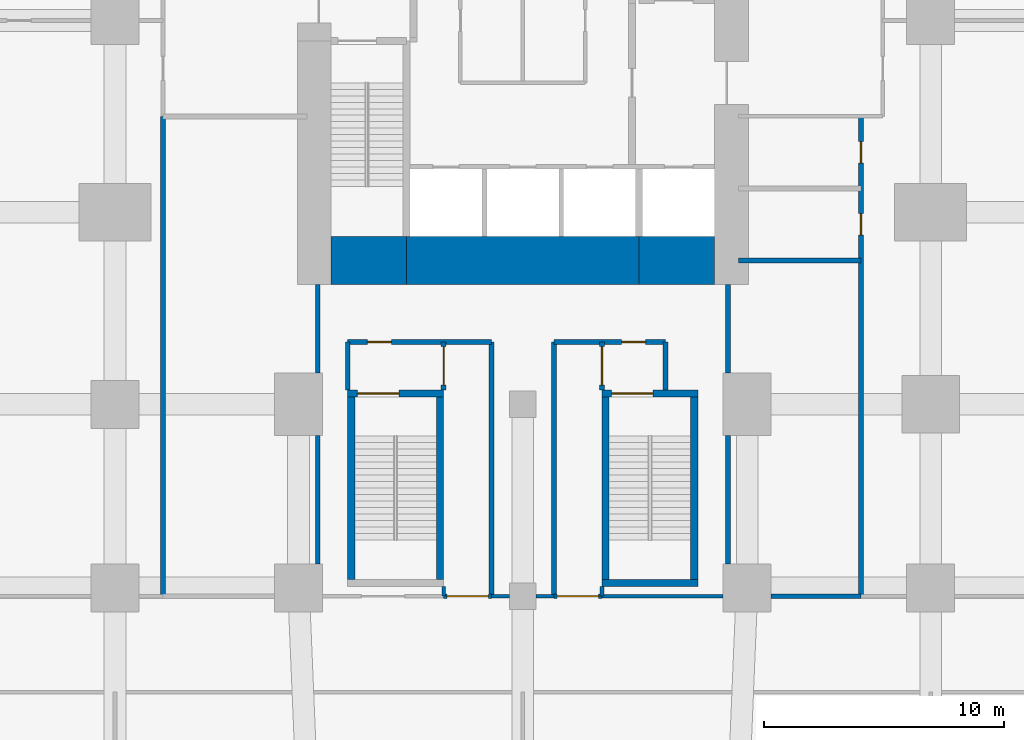
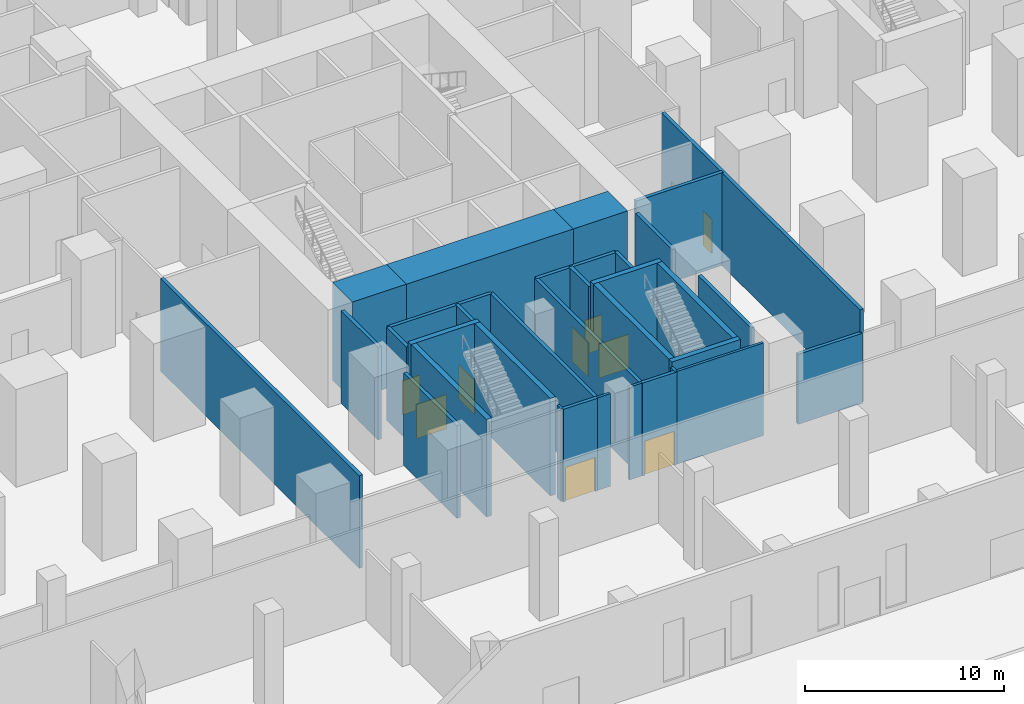
# One storey, part 5 of 16: 33 walls, 10 doors, 10 openings.
"""IFC4 building model written with IfcOpenShell, lengths in metres."""

from ifc_helpers import new_model, si_unit, direction, frame, frame_2d, origin, place, context, subcontext, project, spatial, rectangle, extrude, material, layer, layer_set, type_object, element, fill, save


model = new_model("IFC4")

# Units and contexts
model_context = context("Model", 3, precision=1e-05, world=origin(), true_north=direction((0.0, 1.0)))
body_context = subcontext(model_context, "Body", "Model", "MODEL_VIEW")
ifc_project = project(units=[si_unit("LENGTHUNIT", "METRE"), si_unit("AREAUNIT", "SQUARE_METRE"), si_unit("VOLUMEUNIT", "CUBIC_METRE"), si_unit("PLANEANGLEUNIT", "RADIAN"), si_unit("MASSUNIT", "GRAM", prefix="KILO")], contexts=[model_context])

# Site, building, storey
site_placement = place(None, origin())
site = spatial("IfcSite", under=ifc_project, at=site_placement, CompositionType="ELEMENT")
building_placement = place(site_placement, origin())
building = spatial("IfcBuilding", under=site, at=building_placement, Name="Cleftline Residences", CompositionType="ELEMENT")
storey_placement = place(building_placement, origin())
storey = spatial("IfcBuildingStorey", under=building, at=storey_placement, Name="L00", CompositionType="ELEMENT", Elevation=0.0)

# Walls
ifc_material_1 = material(Name="Concrete B70", Category="concrete")
ifc_layer_1 = layer(ifc_material_1, 2.0)
ifc_layer_set_1 = layer_set([ifc_layer_1], Name="CORE WALL 2000")
wall_type_1 = type_object("IfcWallType", Name="CORE WALL 2000", PredefinedType="SHEAR", material=ifc_layer_set_1)
wall_1_placement = place(storey_placement, frame((25.0, 14.0, 0.0), z_axis=(0.0, 0.0, 1.0), x_axis=(1.0, 0.0, 0.0)))
element("IfcWall", 1, at=wall_1_placement, inside=storey, type_object=wall_type_1, Name="Core wall S1", PredefinedType="SHEAR", context=body_context, shape_type="SweptSolid", body=[
    extrude(rectangle(XDim=3.14990234375, YDim=2.0, at=frame_2d((1.574951171875, 0.0))), origin(), (0.0, 0.0, 1.0), 6.0),
])
wall_2_placement = place(storey_placement, frame((28.14990234375, 14.0, 0.0), z_axis=(0.0, 0.0, 1.0), x_axis=(1.0, 0.0, 0.0)))
element("IfcWall", 2, at=wall_2_placement, inside=storey, type_object=wall_type_1, Name="Core wall S2", PredefinedType="SHEAR", context=body_context, shape_type="SweptSolid", body=[
    extrude(rectangle(XDim=9.7001953125, YDim=2.0, at=frame_2d((4.85009765625, 0.0))), origin(), (0.0, 0.0, 1.0), 6.0),
])
wall_3_placement = place(storey_placement, frame((37.85009765625, 14.0, 0.0), z_axis=(0.0, 0.0, 1.0), x_axis=(1.0, 0.0, 0.0)))
element("IfcWall", 3, at=wall_3_placement, inside=storey, type_object=wall_type_1, Name="Core wall S3", PredefinedType="SHEAR", context=body_context, shape_type="SweptSolid", body=[
    extrude(rectangle(XDim=3.14990234375, YDim=2.0, at=frame_2d((1.574951171875, 0.0))), origin(), (0.0, 0.0, 1.0), 6.0),
])

# Wall, opening, door
ifc_material_2 = material(Name="Concrete blockwork, fire rated", Category="masonry")
ifc_layer_2 = layer(ifc_material_2, 0.199951171875)
ifc_layer_set_2 = layer_set([ifc_layer_2], Name="FIRE WALL 200")
wall_type_2 = type_object("IfcWallType", Name="FIRE WALL 200", PredefinedType="PARTITIONING", material=ifc_layer_set_2)
wall_4_placement = place(storey_placement, frame((29.699951171875, 0.0, 0.0), z_axis=(0.0, 0.0, 1.0), x_axis=(1.0, 0.0, 0.0)))
wall_4 = element("IfcWall", 4, at=wall_4_placement, inside=storey, type_object=wall_type_2, Name="Fire separating wall", PredefinedType="PARTITIONING", context=body_context, shape_type="SweptSolid", body=[
    extrude(rectangle(XDim=2.0, YDim=0.199951171875, at=frame_2d((1.0, 0.0))), origin(), (0.0, 0.0, 1.0), 5.699951171875),
])
opening_1_placement = place(wall_4_placement, frame((1.864990234375, 0.0, 0.0), z_axis=(0.0, 0.0, 1.0), x_axis=(-1.0, 0.0, 0.0)))
opening_1 = element("IfcOpeningElement", 5, at=opening_1_placement, cuts=wall_4, Name="Opening D11", PredefinedType="OPENING", context=body_context, shape_type="SweptSolid", body=[
    extrude(rectangle(XDim=1.72998046875, YDim=2.10009765625, at=frame_2d((0.864990234375, 1.050048828125))), frame((0.0, 0.10986328125, 0.0), z_axis=(0.0, -1.0, 0.0), x_axis=(1.0, 0.0, 0.0)), (0.0, 0.0, 1.0), 0.219970703125),
])
ifc_material_3 = material(Name="Steel", Category="steel")
door_type_1 = type_object("IfcDoorType", Name="STAIR DOOR 1730X2100", OperationType="DOUBLE_DOOR_SINGLE_SWING", PredefinedType="DOOR", material=ifc_material_3)
door_1_placement = place(opening_1_placement, origin())
door_1 = element("IfcDoor", 6, at=door_1_placement, inside=storey, type_object=door_type_1, Name="Stair C exit door", OperationType="DOUBLE_DOOR_SINGLE_SWING", OverallHeight=2.10009765625, OverallWidth=1.72998046875, PredefinedType="DOOR", context=body_context, shape_type="SweptSolid", body=[
    extrude(rectangle(XDim=1.72998046875, YDim=2.10009765625, at=frame_2d((0.864990234375, 1.050048828125))), frame((0.0, 0.02490234375, 0.0), z_axis=(0.0, -1.0, 0.0), x_axis=(1.0, 0.0, 0.0)), (0.0, 0.0, 1.0), 0.050048828125),
])
fill(opening_1, door_1)

wall_5_placement = place(storey_placement, frame((34.300048828125, 0.0, 0.0), z_axis=(0.0, 0.0, 1.0), x_axis=(1.0, 0.0, 0.0)))
wall_5 = element("IfcWall", 7, at=wall_5_placement, inside=storey, type_object=wall_type_2, Name="Fire separating wall", PredefinedType="PARTITIONING", context=body_context, shape_type="SweptSolid", body=[
    extrude(rectangle(XDim=2.0, YDim=0.199951171875, at=frame_2d((1.0, 0.0))), origin(), (0.0, 0.0, 1.0), 5.699951171875),
])
opening_2_placement = place(wall_5_placement, frame((1.864990234375, 0.0, 0.0), z_axis=(0.0, 0.0, 1.0), x_axis=(-1.0, 0.0, 0.0)))
opening_2 = element("IfcOpeningElement", 8, at=opening_2_placement, cuts=wall_5, Name="Opening D11", PredefinedType="OPENING", context=body_context, shape_type="SweptSolid", body=[
    extrude(rectangle(XDim=1.72998046875, YDim=2.10009765625, at=frame_2d((0.864990234375, 1.050048828125))), frame((0.0, 0.10986328125, 0.0), z_axis=(0.0, -1.0, 0.0), x_axis=(1.0, 0.0, 0.0)), (0.0, 0.0, 1.0), 0.219970703125),
])
door_2_placement = place(opening_2_placement, origin())
door_2 = element("IfcDoor", 9, at=door_2_placement, inside=storey, type_object=door_type_1, Name="Stair C2 exit door", OperationType="DOUBLE_DOOR_SINGLE_SWING", OverallHeight=2.10009765625, OverallWidth=1.72998046875, PredefinedType="DOOR", context=body_context, shape_type="SweptSolid", body=[
    extrude(rectangle(XDim=1.72998046875, YDim=2.10009765625, at=frame_2d((0.864990234375, 1.050048828125))), frame((0.0, 0.02490234375, 0.0), z_axis=(0.0, -1.0, 0.0), x_axis=(1.0, 0.0, 0.0)), (0.0, 0.0, 1.0), 0.050048828125),
])
fill(opening_2, door_2)

# Wall
wall_6_placement = place(storey_placement, frame((43.35009765625, 0.0, 0.0), z_axis=(0.0, 0.0, 1.0), x_axis=(1.0, 0.0, 0.0)))
element("IfcWall", 10, at=wall_6_placement, inside=storey, type_object=wall_type_2, Name="Fire separating wall", PredefinedType="PARTITIONING", context=body_context, shape_type="SweptSolid", body=[
    extrude(rectangle(XDim=3.75, YDim=0.199951171875, at=frame_2d((1.875, 0.0))), origin(), (0.0, 0.0, 1.0), 4.300048828125),
])

# Wall, opening, door
wall_7_placement = place(storey_placement, frame((25.699951171875, 10.60009765625, 0.0), z_axis=(0.0, 0.0, 1.0), x_axis=(1.0, 0.0, 0.0)))
wall_7 = element("IfcWall", 11, at=wall_7_placement, inside=storey, type_object=wall_type_2, Name="Fire separating wall", PredefinedType="PARTITIONING", context=body_context, shape_type="SweptSolid", body=[
    extrude(rectangle(XDim=6.0, YDim=0.199951171875, at=frame_2d((3.0, 0.0))), origin(), (0.0, 0.0, 1.0), 5.699951171875),
])
opening_3_placement = place(wall_7_placement, frame((0.824951171875, 0.0, 0.0)))
opening_3 = element("IfcOpeningElement", 12, at=opening_3_placement, cuts=wall_7, Name="Opening D2F60", PredefinedType="OPENING", context=body_context, shape_type="SweptSolid", body=[
    extrude(rectangle(XDim=1.0, YDim=2.10009765625, at=frame_2d((0.5, 1.050048828125))), frame((0.0, 0.10986328125, 0.0), z_axis=(0.0, -1.0, 0.0), x_axis=(1.0, 0.0, 0.0)), (0.0, 0.0, 1.0), 0.219970703125),
])
ifc_material_4 = material(Name="Timber veneer on solid core", Category="wood")
door_type_2 = type_object("IfcDoorType", Name="DOOR 1000X2100 EI 60", OperationType="SINGLE_SWING_LEFT", PredefinedType="DOOR", material=ifc_material_4)
door_3_placement = place(opening_3_placement, origin())
door_3 = element("IfcDoor", 13, at=door_3_placement, inside=storey, type_object=door_type_2, Name="Door to stair c lobby", OperationType="SINGLE_SWING_RIGHT", OverallHeight=2.10009765625, OverallWidth=1.0, PredefinedType="DOOR", context=body_context, shape_type="SweptSolid", body=[
    extrude(rectangle(XDim=1.0, YDim=2.10009765625, at=frame_2d((0.5, 1.050048828125))), frame((0.0, 0.02490234375, 0.0), z_axis=(0.0, -1.0, 0.0), x_axis=(1.0, 0.0, 0.0)), (0.0, 0.0, 1.0), 0.050048828125),
])
fill(opening_3, door_3)

wall_8_placement = place(storey_placement, frame((34.300048828125, 10.60009765625, 0.0), z_axis=(0.0, 0.0, 1.0), x_axis=(1.0, 0.0, 0.0)))
wall_8 = element("IfcWall", 14, at=wall_8_placement, inside=storey, type_object=wall_type_2, Name="Fire separating wall", PredefinedType="PARTITIONING", context=body_context, shape_type="SweptSolid", body=[
    extrude(rectangle(XDim=4.64990234375, YDim=0.199951171875, at=frame_2d((2.324951171875, 0.0))), origin(), (0.0, 0.0, 1.0), 5.699951171875),
])
opening_4_placement = place(wall_8_placement, frame((2.824951171875, 0.0, 0.0)))
opening_4 = element("IfcOpeningElement", 15, at=opening_4_placement, cuts=wall_8, Name="Opening D2F60", PredefinedType="OPENING", context=body_context, shape_type="SweptSolid", body=[
    extrude(rectangle(XDim=1.0, YDim=2.10009765625, at=frame_2d((0.5, 1.050048828125))), frame((0.0, 0.10986328125, 0.0), z_axis=(0.0, -1.0, 0.0), x_axis=(1.0, 0.0, 0.0)), (0.0, 0.0, 1.0), 0.219970703125),
])
door_4_placement = place(opening_4_placement, origin())
door_4 = element("IfcDoor", 16, at=door_4_placement, inside=storey, type_object=door_type_2, Name="Door to stair c2 lobby", OperationType="SINGLE_SWING_LEFT", OverallHeight=2.10009765625, OverallWidth=1.0, PredefinedType="DOOR", context=body_context, shape_type="SweptSolid", body=[
    extrude(rectangle(XDim=1.0, YDim=2.10009765625, at=frame_2d((0.5, 1.050048828125))), frame((0.0, 0.02490234375, 0.0), z_axis=(0.0, -1.0, 0.0), x_axis=(1.0, 0.0, 0.0)), (0.0, 0.0, 1.0), 0.050048828125),
])
fill(opening_4, door_4)

# Walls
wall_9_placement = place(storey_placement, frame((42.0, 14.0, 0.0), z_axis=(0.0, 0.0, 1.0), x_axis=(1.0, 0.0, 0.0)))
element("IfcWall", 17, at=wall_9_placement, inside=storey, type_object=wall_type_2, Name="Fire separating wall", PredefinedType="PARTITIONING", context=body_context, shape_type="SweptSolid", body=[
    extrude(rectangle(XDim=5.10009765625, YDim=0.199951171875, at=frame_2d((2.550048828125, 0.0))), origin(), (0.0, 0.0, 1.0), 5.699951171875),
])
wall_10_placement = place(storey_placement, frame((18.0, 0.0, 0.0), z_axis=(0.0, 0.0, 1.0), x_axis=(0.0, 1.0, 0.0)))
element("IfcWall", 18, at=wall_10_placement, inside=storey, type_object=wall_type_2, Name="Fire separating wall", PredefinedType="PARTITIONING", context=body_context, shape_type="SweptSolid", body=[
    extrude(rectangle(XDim=20.0, YDim=0.199951171875, at=frame_2d((10.0, 0.0))), origin(), (0.0, 0.0, 1.0), 5.699951171875),
])
wall_11_placement = place(storey_placement, frame((24.449951171875, 1.35009765625, 0.0), z_axis=(0.0, 0.0, 1.0), x_axis=(0.0, 1.0, 0.0)))
element("IfcWall", 19, at=wall_11_placement, inside=storey, type_object=wall_type_2, Name="Fire separating wall", PredefinedType="PARTITIONING", context=body_context, shape_type="SweptSolid", body=[
    extrude(rectangle(XDim=5.349853515625, YDim=0.199951171875, at=frame_2d((2.6748046875, 0.0))), origin(), (0.0, 0.0, 1.0), 5.699951171875),
])
wall_12_placement = place(storey_placement, frame((24.449951171875, 9.300048828125, 0.0), z_axis=(0.0, 0.0, 1.0), x_axis=(0.0, 1.0, 0.0)))
element("IfcWall", 20, at=wall_12_placement, inside=storey, type_object=wall_type_2, Name="Fire separating wall", PredefinedType="PARTITIONING", context=body_context, shape_type="SweptSolid", body=[
    extrude(rectangle(XDim=3.699951171875, YDim=0.199951171875, at=frame_2d((1.85009765625, 0.0))), origin(), (0.0, 0.0, 1.0), 5.699951171875),
])
wall_13_placement = place(storey_placement, frame((25.699951171875, 8.60009765625, 0.0), z_axis=(0.0, 0.0, 1.0), x_axis=(0.0, 1.0, 0.0)))
element("IfcWall", 21, at=wall_13_placement, inside=storey, type_object=wall_type_2, Name="Fire separating wall", PredefinedType="PARTITIONING", context=body_context, shape_type="SweptSolid", body=[
    extrude(rectangle(XDim=2.0, YDim=0.199951171875, at=frame_2d((1.0, 0.0))), origin(), (0.0, 0.0, 1.0), 5.699951171875),
])

# Wall, opening, door
wall_14_placement = place(storey_placement, frame((29.699951171875, 8.60009765625, 0.0), z_axis=(0.0, 0.0, 1.0), x_axis=(0.0, 1.0, 0.0)))
wall_14 = element("IfcWall", 22, at=wall_14_placement, inside=storey, type_object=wall_type_2, Name="Fire separating wall", PredefinedType="PARTITIONING", context=body_context, shape_type="SweptSolid", body=[
    extrude(rectangle(XDim=2.0, YDim=0.199951171875, at=frame_2d((1.0, 0.0))), origin(), (0.0, 0.0, 1.0), 5.699951171875),
])
opening_5_placement = place(wall_14_placement, frame((1.800048828125, 0.0, 0.0), z_axis=(0.0, 0.0, 1.0), x_axis=(-1.0, 0.0, 0.0)))
opening_5 = element("IfcOpeningElement", 23, at=opening_5_placement, cuts=wall_14, Name="Opening D9", PredefinedType="OPENING", context=body_context, shape_type="SweptSolid", body=[
    extrude(rectangle(XDim=1.60009765625, YDim=2.10009765625, at=frame_2d((0.800048828125, 1.050048828125))), frame((0.0, 0.10986328125, 0.0), z_axis=(0.0, -1.0, 0.0), x_axis=(1.0, 0.0, 0.0)), (0.0, 0.0, 1.0), 0.219970703125),
])
ifc_material_5 = material(Name="Steel", Category="steel")
door_type_3 = type_object("IfcDoorType", Name="STAIR DOOR 1600X2100", OperationType="DOUBLE_DOOR_SINGLE_SWING", PredefinedType="DOOR", material=ifc_material_5)
door_5_placement = place(opening_5_placement, origin())
door_5 = element("IfcDoor", 24, at=door_5_placement, inside=storey, type_object=door_type_3, Name="Door to exit passage C", OperationType="DOUBLE_DOOR_SINGLE_SWING", OverallHeight=2.10009765625, OverallWidth=1.60009765625, PredefinedType="DOOR", context=body_context, shape_type="SweptSolid", body=[
    extrude(rectangle(XDim=1.60009765625, YDim=2.10009765625, at=frame_2d((0.800048828125, 1.050048828125))), frame((0.0, 0.02490234375, 0.0), z_axis=(0.0, -1.0, 0.0), x_axis=(1.0, 0.0, 0.0)), (0.0, 0.0, 1.0), 0.050048828125),
])
fill(opening_5, door_5)

# Walls
for number, where, z_axis, x_axis, name in (
    (25, (31.699951171875, 0.0, 0.0), (0.0, 0.0, 1.0), (0.0, 1.0, 0.0), "Fire separating wall"),
    (26, (34.300048828125, 0.0, 0.0), (0.0, 0.0, 1.0), (0.0, 1.0, 0.0), "Fire separating wall"),
):
    element("IfcWall", number, at=place(storey_placement, frame(where, z_axis=z_axis, x_axis=x_axis)), inside=storey, type_object=wall_type_2, Name=name, PredefinedType="PARTITIONING", context=body_context, shape_type="SweptSolid", body=[
        extrude(rectangle(XDim=10.60009765625, YDim=0.199951171875, at=frame_2d((5.300048828125, 0.0))), origin(), (0.0, 0.0, 1.0), 5.699951171875),
    ])

# Wall, opening, door
wall_15_placement = place(storey_placement, frame((36.300048828125, 8.60009765625, 0.0), z_axis=(0.0, 0.0, 1.0), x_axis=(0.0, 1.0, 0.0)))
wall_15 = element("IfcWall", 27, at=wall_15_placement, inside=storey, type_object=wall_type_2, Name="Fire separating wall", PredefinedType="PARTITIONING", context=body_context, shape_type="SweptSolid", body=[
    extrude(rectangle(XDim=2.0, YDim=0.199951171875, at=frame_2d((1.0, 0.0))), origin(), (0.0, 0.0, 1.0), 5.699951171875),
])
opening_6_placement = place(wall_15_placement, frame((0.199951171875, 0.0, 0.0)))
opening_6 = element("IfcOpeningElement", 28, at=opening_6_placement, cuts=wall_15, Name="Opening D9", PredefinedType="OPENING", context=body_context, shape_type="SweptSolid", body=[
    extrude(rectangle(XDim=1.60009765625, YDim=2.10009765625, at=frame_2d((0.800048828125, 1.050048828125))), frame((0.0, 0.10986328125, 0.0), z_axis=(0.0, -1.0, 0.0), x_axis=(1.0, 0.0, 0.0)), (0.0, 0.0, 1.0), 0.219970703125),
])
door_6_placement = place(opening_6_placement, origin())
door_6 = element("IfcDoor", 29, at=door_6_placement, inside=storey, type_object=door_type_3, Name="Door to exit passage C2", OperationType="DOUBLE_DOOR_SINGLE_SWING", OverallHeight=2.10009765625, OverallWidth=1.60009765625, PredefinedType="DOOR", context=body_context, shape_type="SweptSolid", body=[
    extrude(rectangle(XDim=1.60009765625, YDim=2.10009765625, at=frame_2d((0.800048828125, 1.050048828125))), frame((0.0, 0.02490234375, 0.0), z_axis=(0.0, -1.0, 0.0), x_axis=(1.0, 0.0, 0.0)), (0.0, 0.0, 1.0), 0.050048828125),
])
fill(opening_6, door_6)

# Walls
wall_16_placement = place(storey_placement, frame((38.949951171875, 8.60009765625, 0.0), z_axis=(0.0, 0.0, 1.0), x_axis=(0.0, 1.0, 0.0)))
element("IfcWall", 30, at=wall_16_placement, inside=storey, type_object=wall_type_2, Name="Fire separating wall", PredefinedType="PARTITIONING", context=body_context, shape_type="SweptSolid", body=[
    extrude(rectangle(XDim=2.0, YDim=0.199951171875, at=frame_2d((1.0, 0.0))), origin(), (0.0, 0.0, 1.0), 5.699951171875),
])
wall_17_placement = place(storey_placement, frame((41.550048828125, 1.35009765625, 0.0), z_axis=(0.0, 0.0, 1.0), x_axis=(0.0, 1.0, 0.0)))
element("IfcWall", 31, at=wall_17_placement, inside=storey, type_object=wall_type_2, Name="Fire separating wall", PredefinedType="PARTITIONING", context=body_context, shape_type="SweptSolid", body=[
    extrude(rectangle(XDim=5.349853515625, YDim=0.199951171875, at=frame_2d((2.6748046875, 0.0))), origin(), (0.0, 0.0, 1.0), 5.699951171875),
])
wall_18_placement = place(storey_placement, frame((41.550048828125, 9.300048828125, 0.0), z_axis=(0.0, 0.0, 1.0), x_axis=(0.0, 1.0, 0.0)))
element("IfcWall", 32, at=wall_18_placement, inside=storey, type_object=wall_type_2, Name="Fire separating wall", PredefinedType="PARTITIONING", context=body_context, shape_type="SweptSolid", body=[
    extrude(rectangle(XDim=3.699951171875, YDim=0.199951171875, at=frame_2d((1.85009765625, 0.0))), origin(), (0.0, 0.0, 1.0), 5.699951171875),
])

# Wall, openings, doors
wall_19_placement = place(storey_placement, frame((47.10009765625, 0.0, 0.0), z_axis=(0.0, 0.0, 1.0), x_axis=(0.0, 1.0, 0.0)))
wall_19 = element("IfcWall", 33, at=wall_19_placement, inside=storey, type_object=wall_type_2, Name="Fire separating wall", PredefinedType="PARTITIONING", context=body_context, shape_type="SweptSolid", body=[
    extrude(rectangle(XDim=20.0, YDim=0.199951171875, at=frame_2d((10.0, 0.0))), origin(), (0.0, 0.0, 1.0), 5.699951171875),
])
opening_7_placement = place(wall_19_placement, frame((15.050048828125, 0.0, 0.0)))
opening_7 = element("IfcOpeningElement", 34, at=opening_7_placement, cuts=wall_19, Name="Opening D1F30", PredefinedType="OPENING", context=body_context, shape_type="SweptSolid", body=[
    extrude(rectangle(XDim=0.89990234375, YDim=2.10009765625, at=frame_2d((0.449951171875, 1.050048828125))), frame((0.0, 0.10986328125, 0.0), z_axis=(0.0, -1.0, 0.0), x_axis=(1.0, 0.0, 0.0)), (0.0, 0.0, 1.0), 0.219970703125),
])
opening_8_placement = place(wall_19_placement, frame((18.050048828125, 0.0, 0.0)))
opening_8 = element("IfcOpeningElement", 35, at=opening_8_placement, cuts=wall_19, Name="Opening D1F30", PredefinedType="OPENING", context=body_context, shape_type="SweptSolid", body=[
    extrude(rectangle(XDim=0.89990234375, YDim=2.10009765625, at=frame_2d((0.449951171875, 1.050048828125))), frame((0.0, 0.10986328125, 0.0), z_axis=(0.0, -1.0, 0.0), x_axis=(1.0, 0.0, 0.0)), (0.0, 0.0, 1.0), 0.219970703125),
])
ifc_material_6 = material(Name="Timber veneer on solid core", Category="wood")
door_type_4 = type_object("IfcDoorType", Name="DOOR 900X2100 EI 30", OperationType="SINGLE_SWING_LEFT", PredefinedType="DOOR", material=ifc_material_6)
door_7_placement = place(opening_7_placement, origin())
door_7 = element("IfcDoor", 36, at=door_7_placement, inside=storey, type_object=door_type_4, Name="Door to accessible wc east", OperationType="SINGLE_SWING_LEFT", OverallHeight=2.10009765625, OverallWidth=0.89990234375, PredefinedType="DOOR", context=body_context, shape_type="SweptSolid", body=[
    extrude(rectangle(XDim=0.89990234375, YDim=2.10009765625, at=frame_2d((0.449951171875, 1.050048828125))), frame((0.0, 0.02490234375, 0.0), z_axis=(0.0, -1.0, 0.0), x_axis=(1.0, 0.0, 0.0)), (0.0, 0.0, 1.0), 0.050048828125),
])
fill(opening_7, door_7)
door_8_placement = place(opening_8_placement, origin())
door_8 = element("IfcDoor", 37, at=door_8_placement, inside=storey, type_object=door_type_4, Name="Door to cleaner's store", OperationType="SINGLE_SWING_LEFT", OverallHeight=2.10009765625, OverallWidth=0.89990234375, PredefinedType="DOOR", context=body_context, shape_type="SweptSolid", body=[
    extrude(rectangle(XDim=0.89990234375, YDim=2.10009765625, at=frame_2d((0.449951171875, 1.050048828125))), frame((0.0, 0.02490234375, 0.0), z_axis=(0.0, -1.0, 0.0), x_axis=(1.0, 0.0, 0.0)), (0.0, 0.0, 1.0), 0.050048828125),
])
fill(opening_8, door_8)

# Walls
ifc_material_7 = material(Name="Gypsum board on steel studs", Category="steel")
ifc_layer_3 = layer(ifc_material_7, 0.14990234375)
ifc_layer_set_3 = layer_set([ifc_layer_3], Name="PARTITION 150")
wall_type_3 = type_object("IfcWallType", Name="PARTITION 150", PredefinedType="PARTITIONING", material=ifc_layer_set_3)
for number, where, z_axis, x_axis, name in (
    (38, (31.699951171875, 0.0, 0.0), (0.0, 0.0, 1.0), (1.0, 0.0, 0.0), "Partition"),
    (39, (33.550048828125, 0.0, 0.0), (0.0, 0.0, 1.0), (1.0, 0.0, 0.0), "Partition"),
):
    element("IfcWall", number, at=place(storey_placement, frame(where, z_axis=z_axis, x_axis=x_axis)), inside=storey, type_object=wall_type_3, Name=name, PredefinedType="PARTITIONING", context=body_context, shape_type="SweptSolid", body=[
        extrude(rectangle(XDim=0.75, YDim=0.14990234375, at=frame_2d((0.375, 0.0))), origin(), (0.0, 0.0, 1.0), 5.699951171875),
    ])
wall_20_placement = place(storey_placement, frame((36.300048828125, 0.0, 0.0), z_axis=(0.0, 0.0, 1.0), x_axis=(1.0, 0.0, 0.0)))
element("IfcWall", 40, at=wall_20_placement, inside=storey, type_object=wall_type_3, Name="Partition", PredefinedType="PARTITIONING", context=body_context, shape_type="SweptSolid", body=[
    extrude(rectangle(XDim=5.050048828125, YDim=0.14990234375, at=frame_2d((2.52490234375, 0.0))), origin(), (0.0, 0.0, 1.0), 5.699951171875),
])
for number, where, z_axis, x_axis, name in (
    (41, (29.699951171875, 0.0, 0.0), (0.0, 0.0, 1.0), (0.0, 1.0, 0.0), "Partition"),
    (42, (36.300048828125, 0.0, 0.0), (0.0, 0.0, 1.0), (0.0, 1.0, 0.0), "Partition"),
):
    element("IfcWall", number, at=place(storey_placement, frame(where, z_axis=z_axis, x_axis=x_axis)), inside=storey, type_object=wall_type_3, Name=name, PredefinedType="PARTITIONING", context=body_context, shape_type="SweptSolid", body=[
        extrude(rectangle(XDim=0.39990234375, YDim=0.14990234375, at=frame_2d((0.199951171875, 0.0))), origin(), (0.0, 0.0, 1.0), 5.699951171875),
    ])

# Wall, opening, door
ifc_material_8 = material(Name="Concrete blockwork, fire rated", Category="masonry")
ifc_layer_4 = layer(ifc_material_8, 0.300048828125)
ifc_layer_set_4 = layer_set([ifc_layer_4], Name="STAIR ENCLOSURE WALL 300")
wall_type_4 = type_object("IfcWallType", Name="STAIR ENCLOSURE WALL 300", PredefinedType="PARTITIONING", material=ifc_layer_set_4)
wall_21_placement = place(storey_placement, frame((25.699951171875, 8.449951171875, 0.0), z_axis=(0.0, 0.0, 1.0), x_axis=(1.0, 0.0, 0.0)))
wall_21 = element("IfcWall", 43, at=wall_21_placement, inside=storey, type_object=wall_type_4, Name="Stair C enclosure", PredefinedType="PARTITIONING", context=body_context, shape_type="SweptSolid", body=[
    extrude(rectangle(XDim=4.0, YDim=0.300048828125, at=frame_2d((2.0, 0.0))), origin(), (0.0, 0.0, 1.0), 6.0),
])
opening_9_placement = place(wall_21_placement, frame((0.39990234375, 0.0, 0.0)))
opening_9 = element("IfcOpeningElement", 44, at=opening_9_placement, cuts=wall_21, Name="Opening D11", PredefinedType="OPENING", context=body_context, shape_type="SweptSolid", body=[
    extrude(rectangle(XDim=1.72998046875, YDim=2.10009765625, at=frame_2d((0.864990234375, 1.050048828125))), frame((0.0, 0.159912109375, 0.0), z_axis=(0.0, -1.0, 0.0), x_axis=(1.0, 0.0, 0.0)), (0.0, 0.0, 1.0), 0.320068359375),
])
door_9_placement = place(opening_9_placement, origin())
door_9 = element("IfcDoor", 45, at=door_9_placement, inside=storey, type_object=door_type_1, Name="Stair C door", OperationType="DOUBLE_DOOR_SINGLE_SWING", OverallHeight=2.10009765625, OverallWidth=1.72998046875, PredefinedType="DOOR", context=body_context, shape_type="SweptSolid", body=[
    extrude(rectangle(XDim=1.72998046875, YDim=2.10009765625, at=frame_2d((0.864990234375, 1.050048828125))), frame((0.0, 0.02490234375, 0.0), z_axis=(0.0, -1.0, 0.0), x_axis=(1.0, 0.0, 0.0)), (0.0, 0.0, 1.0), 0.050048828125),
])
fill(opening_9, door_9)

# Walls
for number, where, z_axis, x_axis, name in (
    (46, (25.85009765625, 0.699951171875, 0.0), (0.0, 0.0, 1.0), (0.0, 1.0, 0.0), "Stair C enclosure"),
    (47, (29.550048828125, 0.699951171875, 0.0), (0.0, 0.0, 1.0), (0.0, 1.0, 0.0), "Stair C enclosure"),
):
    element("IfcWall", number, at=place(storey_placement, frame(where, z_axis=z_axis, x_axis=x_axis)), inside=storey, type_object=wall_type_4, Name=name, PredefinedType="PARTITIONING", context=body_context, shape_type="SweptSolid", body=[
        extrude(rectangle(XDim=7.60009765625, YDim=0.300048828125, at=frame_2d((3.800048828125, 0.0))), origin(), (0.0, 0.0, 1.0), 6.0),
    ])
wall_22_placement = place(storey_placement, frame((36.300048828125, 0.550048828125, 0.0), z_axis=(0.0, 0.0, 1.0), x_axis=(1.0, 0.0, 0.0)))
element("IfcWall", 48, at=wall_22_placement, inside=storey, type_object=wall_type_4, Name="Stair C2 enclosure", PredefinedType="PARTITIONING", context=body_context, shape_type="SweptSolid", body=[
    extrude(rectangle(XDim=4.0, YDim=0.300048828125, at=frame_2d((2.0, 0.0))), origin(), (0.0, 0.0, 1.0), 6.0),
])

# Wall, opening, door
wall_23_placement = place(storey_placement, frame((36.300048828125, 8.449951171875, 0.0), z_axis=(0.0, 0.0, 1.0), x_axis=(1.0, 0.0, 0.0)))
wall_23 = element("IfcWall", 49, at=wall_23_placement, inside=storey, type_object=wall_type_4, Name="Stair C2 enclosure", PredefinedType="PARTITIONING", context=body_context, shape_type="SweptSolid", body=[
    extrude(rectangle(XDim=4.0, YDim=0.300048828125, at=frame_2d((2.0, 0.0))), origin(), (0.0, 0.0, 1.0), 6.0),
])
opening_10_placement = place(wall_23_placement, frame((0.39990234375, 0.0, 0.0)))
opening_10 = element("IfcOpeningElement", 50, at=opening_10_placement, cuts=wall_23, Name="Opening D11", PredefinedType="OPENING", context=body_context, shape_type="SweptSolid", body=[
    extrude(rectangle(XDim=1.72998046875, YDim=2.10009765625, at=frame_2d((0.864990234375, 1.050048828125))), frame((0.0, 0.159912109375, 0.0), z_axis=(0.0, -1.0, 0.0), x_axis=(1.0, 0.0, 0.0)), (0.0, 0.0, 1.0), 0.320068359375),
])
door_10_placement = place(opening_10_placement, origin())
door_10 = element("IfcDoor", 51, at=door_10_placement, inside=storey, type_object=door_type_1, Name="Stair C2 door", OperationType="DOUBLE_DOOR_SINGLE_SWING", OverallHeight=2.10009765625, OverallWidth=1.72998046875, PredefinedType="DOOR", context=body_context, shape_type="SweptSolid", body=[
    extrude(rectangle(XDim=1.72998046875, YDim=2.10009765625, at=frame_2d((0.864990234375, 1.050048828125))), frame((0.0, 0.02490234375, 0.0), z_axis=(0.0, -1.0, 0.0), x_axis=(1.0, 0.0, 0.0)), (0.0, 0.0, 1.0), 0.050048828125),
])
fill(opening_10, door_10)

# Walls
for number, where, z_axis, x_axis, name in (
    (52, (36.449951171875, 0.699951171875, 0.0), (0.0, 0.0, 1.0), (0.0, 1.0, 0.0), "Stair C2 enclosure"),
    (53, (40.14990234375, 0.699951171875, 0.0), (0.0, 0.0, 1.0), (0.0, 1.0, 0.0), "Stair C2 enclosure"),
):
    element("IfcWall", number, at=place(storey_placement, frame(where, z_axis=z_axis, x_axis=x_axis)), inside=storey, type_object=wall_type_4, Name=name, PredefinedType="PARTITIONING", context=body_context, shape_type="SweptSolid", body=[
        extrude(rectangle(XDim=7.60009765625, YDim=0.300048828125, at=frame_2d((3.800048828125, 0.0))), origin(), (0.0, 0.0, 1.0), 6.0),
    ])

save(model, "model.ifc")
